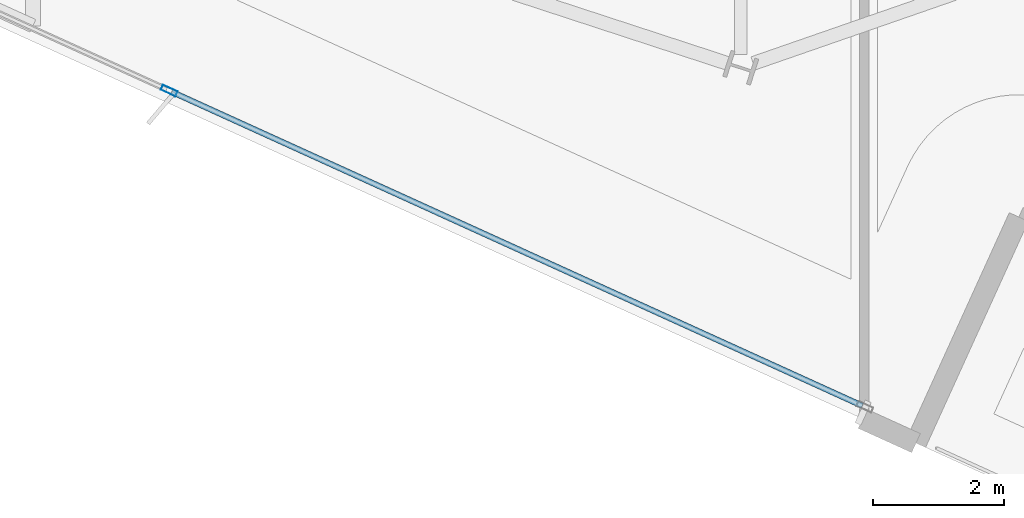
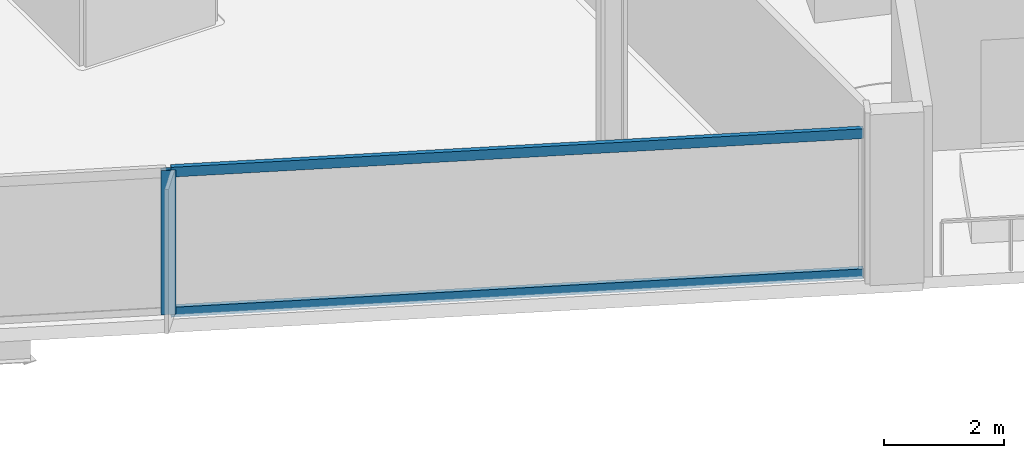
# One storey, part 3 of 26: 3 members, 1 element without a shape of its own.
"""IFC4 building model written with IfcOpenShell, lengths in metres."""

from ifc_helpers import new_model, si_unit, direction, frame, origin, origin_2d, place, context, subcontext, project, spatial, hollow_rectangle, extrude, material, material_profile, profile_set, type_object, element, aggregate, save


model = new_model("IFC4")

# Units and contexts
model_context = context("Model", 3, precision=1e-05, world=origin(), true_north=direction((0.0, 1.0)))
body_context = subcontext(model_context, "Body", "Model", "MODEL_VIEW")
ifc_project = project(units=[si_unit("LENGTHUNIT", "METRE"), si_unit("AREAUNIT", "SQUARE_METRE"), si_unit("VOLUMEUNIT", "CUBIC_METRE"), si_unit("PLANEANGLEUNIT", "RADIAN"), si_unit("MASSUNIT", "GRAM", prefix="KILO")], contexts=[model_context])

# Site, building, storey
site_placement = place(None, origin())
site = spatial("IfcSite", under=ifc_project, at=site_placement, CompositionType="ELEMENT")
building_placement = place(site_placement, origin())
building = spatial("IfcBuilding", under=site, at=building_placement, Name="Haldenkirk Collegiate Tower", CompositionType="ELEMENT")
storey_placement = place(building_placement, frame((0.0, 0.0, 248.699951171875)))
storey = spatial("IfcBuildingStorey", under=building, at=storey_placement, Name="L62", CompositionType="ELEMENT", Elevation=248.699951171875)

# Curtain wall, members
ifc_material = material(Name="Anodised architectural bronze aluminium", Category="aluminium")
curtain_wall_type = type_object("IfcCurtainWallType", Name="CW-SYS1B-CONVEX-HI", PredefinedType="USERDEFINED", material=ifc_material)
curtain_wall_placement = place(storey_placement, origin())
curtain_wall = element("IfcCurtainWall", 1, at=curtain_wall_placement, inside=storey, type_object=curtain_wall_type, Name="L62 Upper tower high-wind convex bronze unitised curtain wall", ObjectType="UNITISED CURTAIN WALL", PredefinedType="USERDEFINED")
ifc_material_profile_1 = material_profile(ifc_material, hollow_rectangle(XDim=0.0849609375, YDim=0.25, WallThickness=0.0048828125, at=origin_2d()), Name="CW-MUL-1B")
ifc_profile_set_1 = profile_set([ifc_material_profile_1], Name="Anodised architectural bronze aluminium")
member_type_1 = type_object("IfcMemberType", Name="CW-MUL-1B", PredefinedType="MULLION", material=ifc_profile_set_1)
member_1_placement = place(storey_placement, frame((32.3671875, 2.144287109375, 0.0), z_axis=(0.0, 0.0, 1.0), x_axis=(-0.413897548196, -0.910323469761, 0.0)))
member_1 = element("IfcMember", 2, at=member_1_placement, type_object=member_type_1, Name="CW-1B mullion 2", PredefinedType="MULLION", context=body_context, shape_type="SweptSolid", body=[
    extrude(hollow_rectangle(XDim=0.0849609375, YDim=0.25, WallThickness=0.0048828125, at=origin_2d()), origin(), (0.0, 0.0, 1.0), 2.93798828125),
])
ifc_material_profile_2 = material_profile(ifc_material, hollow_rectangle(XDim=0.0849609375, YDim=0.199951171875, WallThickness=0.0048828125, at=origin_2d()), Name="CW-TRN-1B")
ifc_profile_set_2 = profile_set([ifc_material_profile_2], Name="Anodised architectural bronze aluminium")
member_type_2 = type_object("IfcMemberType", Name="CW-TRN-1B", PredefinedType="USERDEFINED", material=ifc_profile_set_2)
member_2_placement = place(storey_placement, frame((42.970703125, -2.6767578125, 0.04248046875), z_axis=(-0.910326850034, 0.413890113565, 0.0), x_axis=(-0.413890113565, -0.910326850034, 0.0)))
member_2 = element("IfcMember", 3, at=member_2_placement, type_object=member_type_2, Name="CW-1B transom 1.1", ObjectType="TRANSOM", PredefinedType="USERDEFINED", context=body_context, shape_type="SweptSolid", body=[
    extrude(hollow_rectangle(XDim=0.0849609375, YDim=0.199951171875, WallThickness=0.0048828125, at=origin_2d()), origin(), (0.0, 0.0, 1.0), 11.605712890625),
])
member_3_placement = place(storey_placement, frame((42.970703125, -2.6767578125, 2.8955078125), z_axis=(-0.910326850034, 0.413890113565, 0.0), x_axis=(-0.413890113565, -0.910326850034, 0.0)))
member_3 = element("IfcMember", 4, at=member_3_placement, type_object=member_type_2, Name="CW-1B transom 1.2", ObjectType="TRANSOM", PredefinedType="USERDEFINED", context=body_context, shape_type="SweptSolid", body=[
    extrude(hollow_rectangle(XDim=0.0849609375, YDim=0.199951171875, WallThickness=0.0048828125, at=origin_2d()), origin(), (0.0, 0.0, 1.0), 11.605712890625),
])
aggregate(curtain_wall, [member_1, member_2, member_3])

save(model, "model.ifc")
